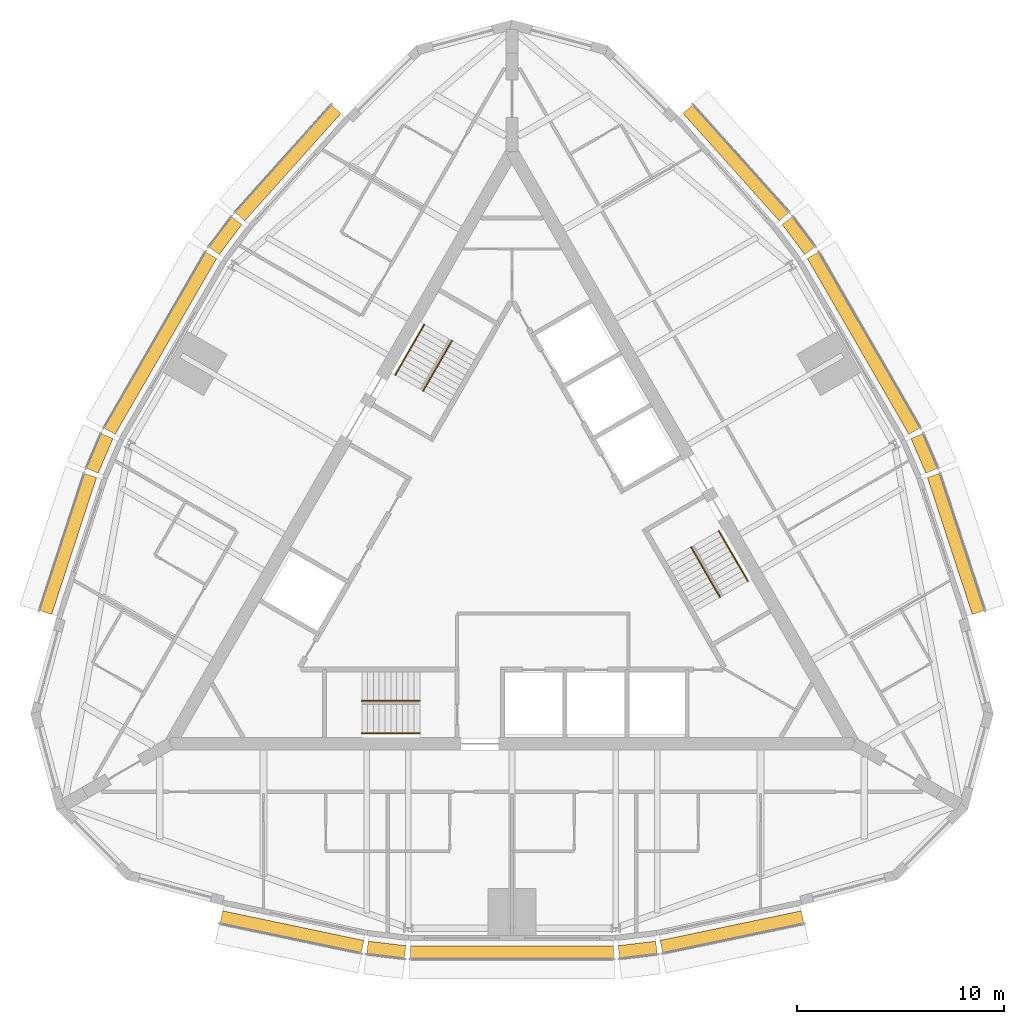
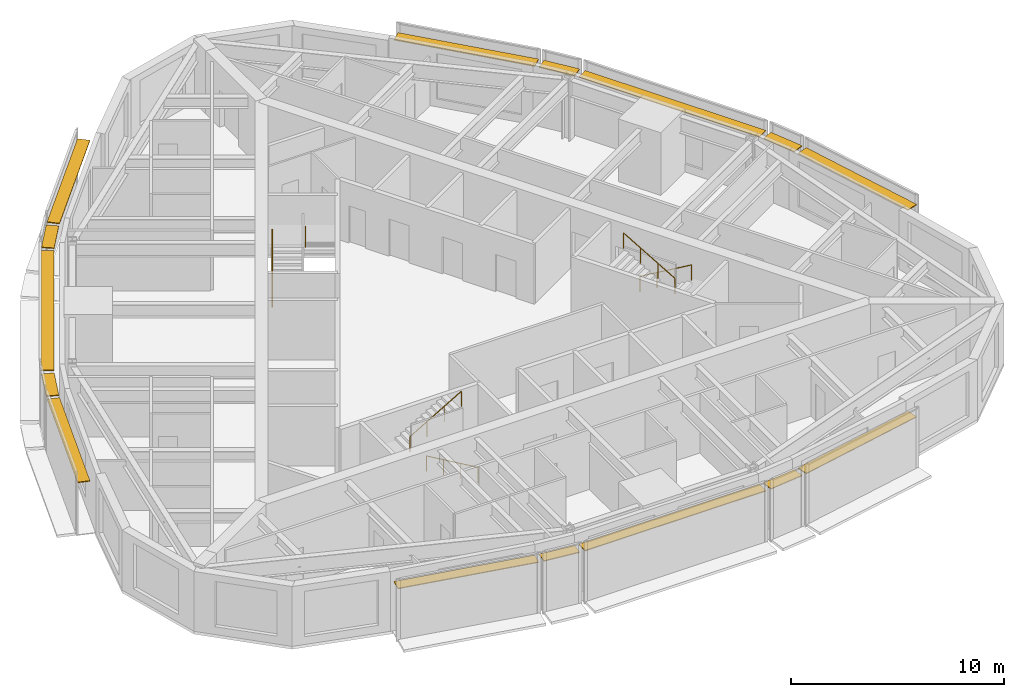
# One storey, part 12 of 12: 15 shading devices, 6 railings.
"""IFC4 building model written with IfcOpenShell, lengths in metres."""

from ifc_helpers import new_model, si_unit, direction, frame, origin, origin_2d, place, context, subcontext, project, spatial, rectangle, circle, extrude, material, type_object, element, save


model = new_model("IFC4")

# Units and contexts
model_context = context("Model", 3, precision=1e-05, world=origin(), true_north=direction((0.0, 1.0)))
body_context = subcontext(model_context, "Body", "Model", "MODEL_VIEW")
ifc_project = project(units=[si_unit("LENGTHUNIT", "METRE"), si_unit("AREAUNIT", "SQUARE_METRE"), si_unit("VOLUMEUNIT", "CUBIC_METRE"), si_unit("PLANEANGLEUNIT", "RADIAN"), si_unit("MASSUNIT", "GRAM", prefix="KILO")], contexts=[model_context])

# Site, building, storey
site_placement = place(None, origin())
site = spatial("IfcSite", under=ifc_project, at=site_placement, CompositionType="ELEMENT")
building_placement = place(site_placement, origin())
building = spatial("IfcBuilding", under=site, at=building_placement, Name="Trikona Tower", CompositionType="ELEMENT")
storey_placement = place(building_placement, frame((0.0, 0.0, 260.89990234375)))
storey = spatial("IfcBuildingStorey", under=building, at=storey_placement, Name="L69", CompositionType="ELEMENT", Elevation=260.89990234375)

# Shading devices
ifc_material_1 = material(Name="Aluminium louvre blade, pale anodised", Category="aluminium")
shading_device_type = type_object("IfcShadingDeviceType", Name="Cavity louvre 600", PredefinedType="USERDEFINED", material=ifc_material_1)
shading_device_1_placement = place(storey_placement, frame((-10.6162109375, -18.6083984375, 2.97509765625), z_axis=(0.0, 0.0, 1.0), x_axis=(0.97865342171, -0.205517590916, 0.0)))
element("IfcShadingDevice", 1, at=shading_device_1_placement, inside=storey, type_object=shading_device_type, Name="Cavity louvre L69-00", ObjectType="LOUVRE", PredefinedType="USERDEFINED", context=body_context, shape_type="SweptSolid", body=[
    extrude(rectangle(XDim=6.962646484375, YDim=0.60009765625, at=origin_2d()), origin(), (0.0, 0.0, 1.0), 0.050048828125),
])
shading_device_2_placement = place(storey_placement, frame((-6.0673828125, -19.471435546875, 2.97509765625), z_axis=(0.0, 0.0, 1.0), x_axis=(0.992876783199, -0.11914568135, 0.0)))
element("IfcShadingDevice", 2, at=shading_device_2_placement, inside=storey, type_object=shading_device_type, Name="Cavity louvre L69-01", ObjectType="LOUVRE", PredefinedType="USERDEFINED", context=body_context, shape_type="SweptSolid", body=[
    extrude(rectangle(XDim=1.82421875, YDim=0.60009765625, at=origin_2d()), origin(), (0.0, 0.0, 1.0), 0.050048828125),
])
shading_device_3_placement = place(storey_placement, frame((0.0, -19.595458984375, 2.97509765625), z_axis=(0.0, 0.0, 1.0), x_axis=(1.0, 0.0, 0.0)))
element("IfcShadingDevice", 3, at=shading_device_3_placement, inside=storey, type_object=shading_device_type, Name="Cavity louvre L69-02", ObjectType="LOUVRE", PredefinedType="USERDEFINED", context=body_context, shape_type="SweptSolid", body=[
    extrude(rectangle(XDim=9.81005859375, YDim=0.60009765625, at=origin_2d()), origin(), (0.0, 0.0, 1.0), 0.050048828125),
])
shading_device_4_placement = place(storey_placement, frame((6.0673828125, -19.471435546875, 2.97509765625), z_axis=(0.0, 0.0, 1.0), x_axis=(0.992876783199, 0.11914568135, 0.0)))
element("IfcShadingDevice", 4, at=shading_device_4_placement, inside=storey, type_object=shading_device_type, Name="Cavity louvre L69-03", ObjectType="LOUVRE", PredefinedType="USERDEFINED", context=body_context, shape_type="SweptSolid", body=[
    extrude(rectangle(XDim=1.82421875, YDim=0.60009765625, at=origin_2d()), origin(), (0.0, 0.0, 1.0), 0.050048828125),
])
for number, where, z_axis, x_axis, name in (
    (5, (10.6162109375, -18.6083984375, 2.97509765625), (0.0, 0.0, 1.0), (0.97865342171, 0.205517590916, 0.0), "Cavity louvre L69-04"),
    (6, (21.423583984375, 0.1103515625, 2.97509765625), (0.0, 0.0, 1.0), (-0.311336621861, 0.950299693722, 0.0), "Cavity louvre L69-09"),
):
    element("IfcShadingDevice", number, at=place(storey_placement, frame(where, z_axis=z_axis, x_axis=x_axis)), inside=storey, type_object=shading_device_type, Name=name, ObjectType="LOUVRE", PredefinedType="USERDEFINED", context=body_context, shape_type="SweptSolid", body=[
        extrude(rectangle(XDim=6.962646484375, YDim=0.60009765625, at=origin_2d()), origin(), (0.0, 0.0, 1.0), 0.050048828125),
    ])
shading_device_5_placement = place(storey_placement, frame((19.896484375, 4.481201171875, 2.97509765625), z_axis=(0.0, 0.0, 1.0), x_axis=(-0.39328408933, 0.919417002823, 0.0)))
element("IfcShadingDevice", 7, at=shading_device_5_placement, inside=storey, type_object=shading_device_type, Name="Cavity louvre L69-10", ObjectType="LOUVRE", PredefinedType="USERDEFINED", context=body_context, shape_type="SweptSolid", body=[
    extrude(rectangle(XDim=1.82421875, YDim=0.60009765625, at=origin_2d()), origin(), (0.0, 0.0, 1.0), 0.050048828125),
])
shading_device_6_placement = place(storey_placement, frame((16.97021484375, 9.797607421875, 2.97509765625), z_axis=(0.0, 0.0, 1.0), x_axis=(-0.4999984885, 0.866026276448, 0.0)))
element("IfcShadingDevice", 8, at=shading_device_6_placement, inside=storey, type_object=shading_device_type, Name="Cavity louvre L69-11", ObjectType="LOUVRE", PredefinedType="USERDEFINED", context=body_context, shape_type="SweptSolid", body=[
    extrude(rectangle(XDim=9.81005859375, YDim=0.60009765625, at=origin_2d()), origin(), (0.0, 0.0, 1.0), 0.050048828125),
])
shading_device_7_placement = place(storey_placement, frame((13.8291015625, 14.990234375, 2.97509765625), z_axis=(0.0, 0.0, 1.0), x_axis=(-0.599618784879, 0.800285769472, 0.0)))
element("IfcShadingDevice", 9, at=shading_device_7_placement, inside=storey, type_object=shading_device_type, Name="Cavity louvre L69-12", ObjectType="LOUVRE", PredefinedType="USERDEFINED", context=body_context, shape_type="SweptSolid", body=[
    extrude(rectangle(XDim=1.82421875, YDim=0.60009765625, at=origin_2d()), origin(), (0.0, 0.0, 1.0), 0.050048828125),
])
for number, where, z_axis, x_axis, name in (
    (10, (10.807373046875, 18.498046875, 2.97509765625), (0.0, 0.0, 1.0), (-0.667311465398, 0.744778764566, 0.0), "Cavity louvre L69-13"),
    (11, (-10.807373046875, 18.498046875, 2.97509765625), (0.0, 0.0, 1.0), (-0.667311465398, -0.744778764566, 0.0), "Cavity louvre L69-18"),
):
    element("IfcShadingDevice", number, at=place(storey_placement, frame(where, z_axis=z_axis, x_axis=x_axis)), inside=storey, type_object=shading_device_type, Name=name, ObjectType="LOUVRE", PredefinedType="USERDEFINED", context=body_context, shape_type="SweptSolid", body=[
        extrude(rectangle(XDim=6.962646484375, YDim=0.60009765625, at=origin_2d()), origin(), (0.0, 0.0, 1.0), 0.050048828125),
    ])
shading_device_8_placement = place(storey_placement, frame((-13.8291015625, 14.990234375, 2.97509765625), z_axis=(0.0, 0.0, 1.0), x_axis=(-0.599618784879, -0.800285769472, 0.0)))
element("IfcShadingDevice", 12, at=shading_device_8_placement, inside=storey, type_object=shading_device_type, Name="Cavity louvre L69-19", ObjectType="LOUVRE", PredefinedType="USERDEFINED", context=body_context, shape_type="SweptSolid", body=[
    extrude(rectangle(XDim=1.82421875, YDim=0.60009765625, at=origin_2d()), origin(), (0.0, 0.0, 1.0), 0.050048828125),
])
shading_device_9_placement = place(storey_placement, frame((-16.97021484375, 9.797607421875, 2.97509765625), z_axis=(0.0, 0.0, 1.0), x_axis=(-0.4999984885, -0.866026276448, 0.0)))
element("IfcShadingDevice", 13, at=shading_device_9_placement, inside=storey, type_object=shading_device_type, Name="Cavity louvre L69-20", ObjectType="LOUVRE", PredefinedType="USERDEFINED", context=body_context, shape_type="SweptSolid", body=[
    extrude(rectangle(XDim=9.81005859375, YDim=0.60009765625, at=origin_2d()), origin(), (0.0, 0.0, 1.0), 0.050048828125),
])
shading_device_10_placement = place(storey_placement, frame((-19.896484375, 4.481201171875, 2.97509765625), z_axis=(0.0, 0.0, 1.0), x_axis=(-0.39328408933, -0.919417002823, 0.0)))
element("IfcShadingDevice", 14, at=shading_device_10_placement, inside=storey, type_object=shading_device_type, Name="Cavity louvre L69-21", ObjectType="LOUVRE", PredefinedType="USERDEFINED", context=body_context, shape_type="SweptSolid", body=[
    extrude(rectangle(XDim=1.82421875, YDim=0.60009765625, at=origin_2d()), origin(), (0.0, 0.0, 1.0), 0.050048828125),
])
shading_device_11_placement = place(storey_placement, frame((-21.423583984375, 0.1103515625, 2.97509765625), z_axis=(0.0, 0.0, 1.0), x_axis=(-0.311336621861, -0.950299693722, 0.0)))
element("IfcShadingDevice", 15, at=shading_device_11_placement, inside=storey, type_object=shading_device_type, Name="Cavity louvre L69-22", ObjectType="LOUVRE", PredefinedType="USERDEFINED", context=body_context, shape_type="SweptSolid", body=[
    extrude(rectangle(XDim=6.962646484375, YDim=0.60009765625, at=origin_2d()), origin(), (0.0, 0.0, 1.0), 0.050048828125),
])

# Railings
ifc_material_2 = material(Name="Stainless steel handrail", Category="steel")
railing_type = type_object("IfcRailingType", Name="Stair handrail", PredefinedType="HANDRAIL", material=ifc_material_2)
railing_1_placement = place(storey_placement, frame((-4.449951171875, -9.016357421875, 0.163818359375)))
element("IfcRailing", 16, at=railing_1_placement, inside=storey, type_object=railing_type, Name="Stair handrail A L69 1", PredefinedType="HANDRAIL", context=body_context, shape_type="SweptSolid", body=[
    extrude(circle(Radius=0.02392578125, at=origin_2d()), frame((0.0, 0.0, 0.8759765625), z_axis=(-0.863393664356, 0.0, 0.504530851732), x_axis=(0.0, -1.0, 0.0)), (0.0, 0.0, 1.0), 3.2431640625),
    extrude(circle(Radius=0.02099609375, at=origin_2d()), origin(), (0.0, 0.0, 1.0), 0.851806640625),
    extrude(circle(Radius=0.02099609375, at=origin_2d()), frame((-0.933349609375, 0.0, 0.54541015625)), (0.0, 0.0, 1.0), 0.851806640625),
    extrude(circle(Radius=0.02099609375, at=origin_2d()), frame((-1.86669921875, 0.0, 1.0908203125)), (0.0, 0.0, 1.0), 0.851806640625),
    extrude(circle(Radius=0.02099609375, at=origin_2d()), frame((-2.800048828125, 0.0, 1.63623046875)), (0.0, 0.0, 1.0), 0.851806640625),
])
railing_2_placement = place(storey_placement, frame((-7.25, -7.46630859375, 1.963623046875)))
element("IfcRailing", 17, at=railing_2_placement, inside=storey, type_object=railing_type, Name="Stair handrail A L69 2", PredefinedType="HANDRAIL", context=body_context, shape_type="SweptSolid", body=[
    extrude(circle(Radius=0.02392578125, at=origin_2d()), frame((0.0, 0.0, 0.8759765625), z_axis=(0.863360870873, 0.0, 0.504586966384), x_axis=(0.0, 1.0, 0.0)), (0.0, 0.0, 1.0), 3.2431640625),
    extrude(circle(Radius=0.02099609375, at=origin_2d()), origin(), (0.0, 0.0, 1.0), 0.851806640625),
    extrude(circle(Radius=0.02099609375, at=origin_2d()), frame((0.933349609375, 0.0, 0.54541015625)), (0.0, 0.0, 1.0), 0.851806640625),
    extrude(circle(Radius=0.02099609375, at=origin_2d()), frame((1.86669921875, 0.0, 1.091064453125)), (0.0, 0.0, 1.0), 0.851806640625),
    extrude(circle(Radius=0.02099609375, at=origin_2d()), frame((2.800048828125, 0.0, 1.636474609375)), (0.0, 0.0, 1.0), 0.851806640625),
])
railing_3_placement = place(storey_placement, frame((9.9833984375, 0.740966796875, 0.163818359375)))
element("IfcRailing", 18, at=railing_3_placement, inside=storey, type_object=railing_type, Name="Stair handrail B L69 1", PredefinedType="HANDRAIL", context=body_context, shape_type="SweptSolid", body=[
    extrude(circle(Radius=0.02392578125, at=origin_2d()), frame((0.0, 0.0, 0.8759765625), z_axis=(0.43165272891, -0.747751404999, 0.504523297725), x_axis=(0.866056369097, 0.49994636267, 0.0)), (0.0, 0.0, 1.0), 3.2431640625),
    extrude(circle(Radius=0.02099609375, at=origin_2d()), origin(), (0.0, 0.0, 1.0), 0.851806640625),
    extrude(circle(Radius=0.02099609375, at=origin_2d()), frame((0.466552734375, -0.808349609375, 0.54541015625)), (0.0, 0.0, 1.0), 0.851806640625),
    extrude(circle(Radius=0.02099609375, at=origin_2d()), frame((0.933349609375, -1.61669921875, 1.0908203125)), (0.0, 0.0, 1.0), 0.851806640625),
    extrude(circle(Radius=0.02099609375, at=origin_2d()), frame((1.39990234375, -2.425048828125, 1.63623046875)), (0.0, 0.0, 1.0), 0.851806640625),
])
railing_4_placement = place(storey_placement, frame((10.041015625, -2.458984375, 1.963623046875)))
element("IfcRailing", 19, at=railing_4_placement, inside=storey, type_object=railing_type, Name="Stair handrail B L69 2", PredefinedType="HANDRAIL", context=body_context, shape_type="SweptSolid", body=[
    extrude(circle(Radius=0.02392578125, at=origin_2d()), frame((0.0, 0.0, 0.8759765625), z_axis=(-0.431636334334, 0.747723004699, 0.504579412111), x_axis=(-0.866056369097, -0.49994636267, 0.0)), (0.0, 0.0, 1.0), 3.2431640625),
    extrude(circle(Radius=0.02099609375, at=origin_2d()), origin(), (0.0, 0.0, 1.0), 0.851806640625),
    extrude(circle(Radius=0.02099609375, at=origin_2d()), frame((-0.466552734375, 0.808349609375, 0.54541015625)), (0.0, 0.0, 1.0), 0.851806640625),
    extrude(circle(Radius=0.02099609375, at=origin_2d()), frame((-0.933349609375, 1.61669921875, 1.091064453125)), (0.0, 0.0, 1.0), 0.851806640625),
    extrude(circle(Radius=0.02099609375, at=origin_2d()), frame((-1.39990234375, 2.425048828125, 1.636474609375)), (0.0, 0.0, 1.0), 0.851806640625),
])
railing_5_placement = place(storey_placement, frame((-5.63330078125, 8.275390625, 0.163818359375)))
element("IfcRailing", 20, at=railing_5_placement, inside=storey, type_object=railing_type, Name="Stair handrail C L69 1", PredefinedType="HANDRAIL", context=body_context, shape_type="SweptSolid", body=[
    extrude(circle(Radius=0.02392578125, at=origin_2d()), frame((0.0, 0.0, 0.8759765625), z_axis=(0.431677027627, 0.74771821388, 0.504551698492), x_axis=(-0.866034573852, 0.49998411664, 0.0)), (0.0, 0.0, 1.0), 3.242919921875),
    extrude(circle(Radius=0.02099609375, at=origin_2d()), origin(), (0.0, 0.0, 1.0), 0.851806640625),
    extrude(circle(Radius=0.02099609375, at=origin_2d()), frame((0.466552734375, 0.808349609375, 0.54541015625)), (0.0, 0.0, 1.0), 0.851806640625),
    extrude(circle(Radius=0.02099609375, at=origin_2d()), frame((0.933349609375, 1.616455078125, 1.0908203125)), (0.0, 0.0, 1.0), 0.851806640625),
    extrude(circle(Radius=0.02099609375, at=origin_2d()), frame((1.39990234375, 2.4248046875, 1.63623046875)), (0.0, 0.0, 1.0), 0.851806640625),
])
railing_6_placement = place(storey_placement, frame((-2.89111328125, 9.92529296875, 1.963623046875)))
element("IfcRailing", 21, at=railing_6_placement, inside=storey, type_object=railing_type, Name="Stair handrail C L69 2", PredefinedType="HANDRAIL", context=body_context, shape_type="SweptSolid", body=[
    extrude(circle(Radius=0.02392578125, at=origin_2d()), frame((0.0, 0.0, 0.8759765625), z_axis=(-0.431636334334, -0.747723004699, 0.504579412111), x_axis=(0.866056369097, -0.49994636267, 0.0)), (0.0, 0.0, 1.0), 3.2431640625),
    extrude(circle(Radius=0.02099609375, at=origin_2d()), origin(), (0.0, 0.0, 1.0), 0.851806640625),
    extrude(circle(Radius=0.02099609375, at=origin_2d()), frame((-0.466552734375, -0.808349609375, 0.54541015625)), (0.0, 0.0, 1.0), 0.851806640625),
    extrude(circle(Radius=0.02099609375, at=origin_2d()), frame((-0.933349609375, -1.61669921875, 1.091064453125)), (0.0, 0.0, 1.0), 0.851806640625),
    extrude(circle(Radius=0.02099609375, at=origin_2d()), frame((-1.39990234375, -2.425048828125, 1.636474609375)), (0.0, 0.0, 1.0), 0.851806640625),
])

save(model, "model.ifc")
